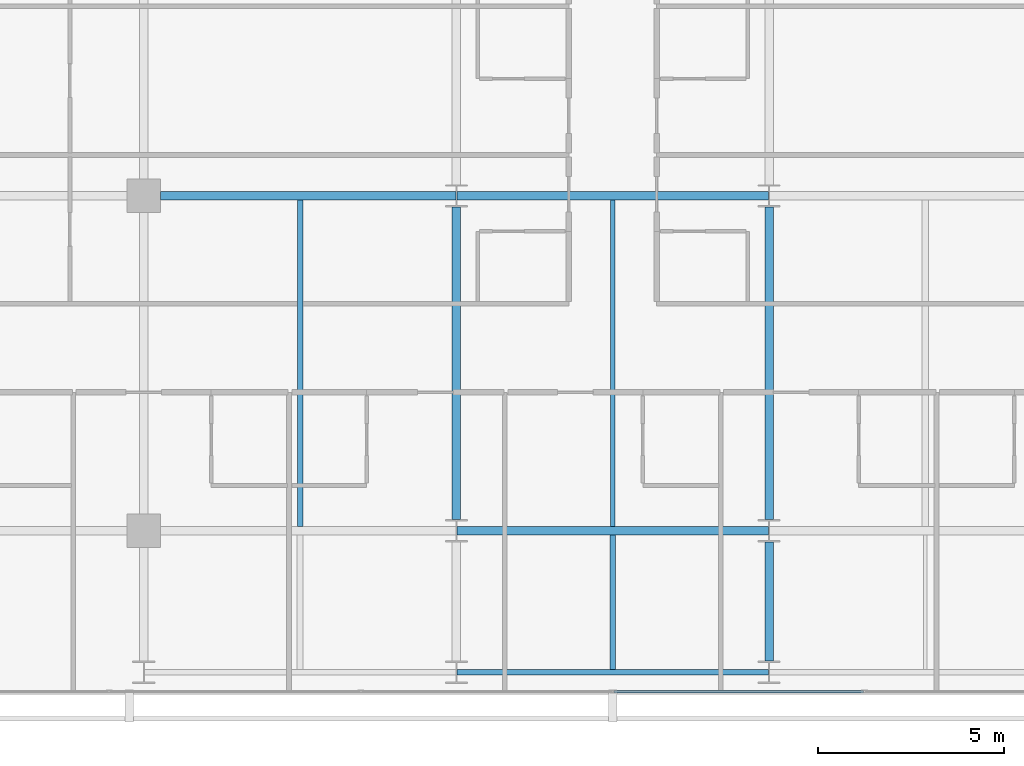
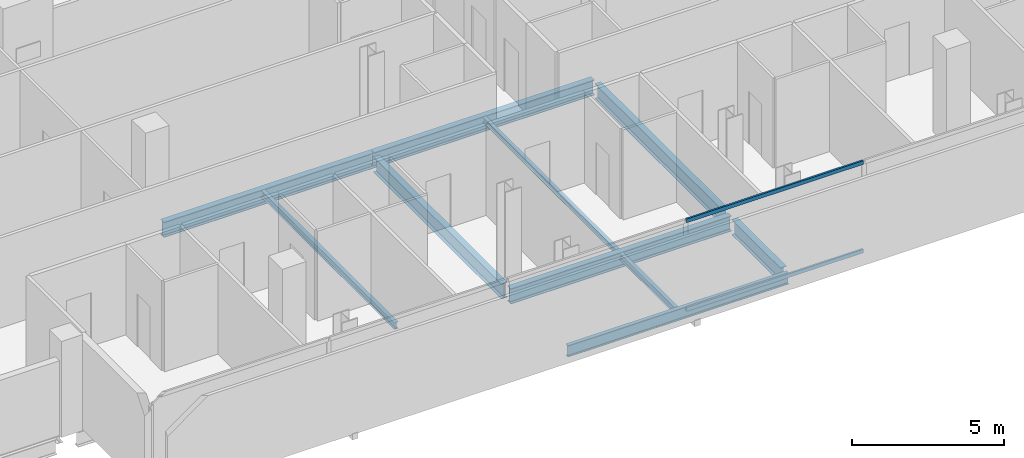
# One storey, part 7 of 34: 10 beams, 2 members, 1 element without a shape of its own.
"""IFC4 building model written with IfcOpenShell, lengths in metres."""

from ifc_helpers import new_model, si_unit, direction, frame, origin, origin_2d, place, context, subcontext, project, spatial, hollow_rectangle, i_section, extrude, material, layer, layer_set, material_profile, profile_set, type_object, element, aggregate, save


model = new_model("IFC4")

# Units and contexts
model_context = context("Model", 3, precision=1e-05, world=origin(), true_north=direction((0.0, 1.0)))
body_context = subcontext(model_context, "Body", "Model", "MODEL_VIEW")
ifc_project = project(units=[si_unit("LENGTHUNIT", "METRE"), si_unit("AREAUNIT", "SQUARE_METRE"), si_unit("VOLUMEUNIT", "CUBIC_METRE"), si_unit("PLANEANGLEUNIT", "RADIAN"), si_unit("MASSUNIT", "GRAM", prefix="KILO")], contexts=[model_context])

# Site, building, storey
site_placement = place(None, origin())
site = spatial("IfcSite", under=ifc_project, at=site_placement, CompositionType="ELEMENT")
building_placement = place(site_placement, origin())
building = spatial("IfcBuilding", under=site, at=building_placement, Name="Maruvema Waterfront Hotel and Observation Tower", CompositionType="ELEMENT")
storey_placement = place(building_placement, frame((0.0, 0.0, 127.39990234375)))
storey = spatial("IfcBuildingStorey", under=building, at=storey_placement, Name="L30", CompositionType="ELEMENT", Elevation=127.39990234375)

# Curtain wall, members
ifc_material_1 = material(Name="Anodised bronze aluminium and solar-control low-E IGU", Category="aluminium")
ifc_layer = layer(ifc_material_1, 0.159912109375, Name="Zone 2 Amber Inner Thermal Curtain Wall System CW-03")
ifc_layer_set = layer_set([ifc_layer], Name="Anodised bronze aluminium and solar-control low-E IGU")
curtain_wall_type = type_object("IfcCurtainWallType", Name="Zone 2 Amber Inner Thermal Curtain Wall System CW-03", PredefinedType="USERDEFINED", material=ifc_layer_set)
curtain_wall_placement = place(storey_placement, origin())
curtain_wall = element("IfcCurtainWall", 1, at=curtain_wall_placement, inside=storey, type_object=curtain_wall_type, Name="L30 Curtain Wall CW-L30-S", ObjectType="UNITISED CURTAIN WALL", PredefinedType="USERDEFINED")
ifc_material_2 = material(Name="Anodised architectural bronze aluminium", Category="aluminium")
ifc_material_profile_1 = material_profile(ifc_material_2, hollow_rectangle(XDim=0.070068359375, YDim=0.14990234375, WallThickness=0.00390625, at=origin_2d()), Name="ALU-T70x150")
ifc_profile_set_1 = profile_set([ifc_material_profile_1], Name="Anodised architectural bronze aluminium")
member_type = type_object("IfcMemberType", Name="Curtain Wall Horizontal Transom ALU-T70x150", PredefinedType="USERDEFINED", material=ifc_profile_set_1)
member_1_placement = place(storey_placement, frame((37.830078125, 4.679931640625, 0.030029296875), z_axis=(1.0, 0.0, 0.0), x_axis=(0.0, 1.0, 0.0)))
member_1 = element("IfcMember", 2, at=member_1_placement, type_object=member_type, Name="CW-03 transom 4.1", ObjectType="TRANSOM", PredefinedType="USERDEFINED", context=body_context, shape_type="SweptSolid", body=[
    extrude(hollow_rectangle(XDim=0.070068359375, YDim=0.14990234375, WallThickness=0.00390625, at=origin_2d()), origin(), (0.0, 0.0, 1.0), 6.70654296875),
])
member_2_placement = place(storey_placement, frame((37.830078125, 4.679931640625, 3.580078125), z_axis=(1.0, 0.0, 0.0), x_axis=(0.0, 1.0, 0.0)))
member_2 = element("IfcMember", 3, at=member_2_placement, type_object=member_type, Name="CW-03 transom 4.2", ObjectType="TRANSOM", PredefinedType="USERDEFINED", context=body_context, shape_type="SweptSolid", body=[
    extrude(hollow_rectangle(XDim=0.070068359375, YDim=0.14990234375, WallThickness=0.00390625, at=origin_2d()), origin(), (0.0, 0.0, 1.0), 6.70654296875),
])
aggregate(curtain_wall, [member_1, member_2])

# Beams
ifc_material_3 = material(Name="Steel ASTM A572 Grade 50", Category="steel")
ifc_material_profile_2 = material_profile(ifc_material_3, i_section(OverallWidth=0.153076171875, OverallDepth=0.455078125, WebThickness=0.008056640625, FlangeThickness=0.01318359375, FilletRadius=0.014892578125, at=origin_2d()), Name="W460x60.0")
ifc_profile_set_2 = profile_set([ifc_material_profile_2], Name="Steel ASTM A572 Grade 50")
beam_type_1 = type_object("IfcBeamType", Name="Perimeter Spandrel Beam W460x60.0", PredefinedType="SPANDREL", material=ifc_profile_set_2)
beam_1_placement = place(storey_placement, frame((33.612548828125, 5.199951171875, -0.46728515625), z_axis=(1.0, 0.0, 0.0), x_axis=(0.0, 1.0, 0.0)))
element("IfcBeam", 4, at=beam_1_placement, inside=storey, type_object=beam_type_1, Name="L30 Floor Girder EW-02", PredefinedType="SPANDREL", context=body_context, shape_type="SweptSolid", body=[
    extrude(i_section(OverallWidth=0.153076171875, OverallDepth=0.455078125, WebThickness=0.008056640625, FlangeThickness=0.01318359375, FilletRadius=0.014892578125, at=origin_2d()), origin(), (0.0, 0.0, 1.0), 8.375),
])
ifc_material_4 = material(Name="Steel ASTM A572 Grade 50", Category="steel")
ifc_material_profile_3 = material_profile(ifc_material_4, i_section(OverallWidth=0.22900390625, OverallDepth=0.612060546875, WebThickness=0.011962890625, FlangeThickness=0.01953125, FilletRadius=0.01806640625, at=origin_2d()), Name="W610x125.0")
ifc_profile_set_3 = profile_set([ifc_material_profile_3], Name="Steel ASTM A572 Grade 50")
beam_type_2 = type_object("IfcBeamType", Name="Primary Floor Girder W610x125.0", PredefinedType="BEAM", material=ifc_profile_set_3)
beam_2_placement = place(storey_placement, frame((33.612548828125, 9.0, -0.5458984375), z_axis=(1.0, 0.0, 0.0), x_axis=(0.0, 1.0, 0.0)))
element("IfcBeam", 5, at=beam_2_placement, inside=storey, type_object=beam_type_2, Name="L30 Floor Girder EW-07", PredefinedType="BEAM", context=body_context, shape_type="SweptSolid", body=[
    extrude(i_section(OverallWidth=0.22900390625, OverallDepth=0.612060546875, WebThickness=0.011962890625, FlangeThickness=0.01953125, FilletRadius=0.01806640625, at=origin_2d()), origin(), (0.0, 0.0, 1.0), 8.375),
])
beam_3_placement = place(storey_placement, frame((25.64990234375, 18.0, -0.5458984375), z_axis=(1.0, 0.0, 0.0), x_axis=(0.0, 1.0, 0.0)))
element("IfcBeam", 6, at=beam_3_placement, inside=storey, type_object=beam_type_2, Name="L30 Floor Girder EW-13", PredefinedType="BEAM", context=body_context, shape_type="SweptSolid", body=[
    extrude(i_section(OverallWidth=0.22900390625, OverallDepth=0.612060546875, WebThickness=0.011962890625, FlangeThickness=0.01953125, FilletRadius=0.01806640625, at=origin_2d()), origin(), (0.0, 0.0, 1.0), 7.9375),
])
beam_4_placement = place(storey_placement, frame((33.612548828125, 18.0, -0.5458984375), z_axis=(1.0, 0.0, 0.0), x_axis=(0.0, 1.0, 0.0)))
element("IfcBeam", 7, at=beam_4_placement, inside=storey, type_object=beam_type_2, Name="L30 Floor Girder EW-14", PredefinedType="BEAM", context=body_context, shape_type="SweptSolid", body=[
    extrude(i_section(OverallWidth=0.22900390625, OverallDepth=0.612060546875, WebThickness=0.011962890625, FlangeThickness=0.01953125, FilletRadius=0.01806640625, at=origin_2d()), origin(), (0.0, 0.0, 1.0), 8.375),
])
beam_5_placement = place(storey_placement, frame((33.60009765625, 9.300048828125, -0.5458984375), z_axis=(0.0, 1.0, 0.0), x_axis=(-1.0, 0.0, 0.0)))
element("IfcBeam", 8, at=beam_5_placement, inside=storey, type_object=beam_type_2, Name="L30 Floor Girder NS-15", PredefinedType="BEAM", context=body_context, shape_type="SweptSolid", body=[
    extrude(i_section(OverallWidth=0.22900390625, OverallDepth=0.612060546875, WebThickness=0.011962890625, FlangeThickness=0.01953125, FilletRadius=0.01806640625, at=origin_2d()), origin(), (0.0, 0.0, 1.0), 8.39990234375),
])
beam_6_placement = place(storey_placement, frame((42.0, 5.5, -0.5458984375), z_axis=(0.0, 1.0, 0.0), x_axis=(-1.0, 0.0, 0.0)))
element("IfcBeam", 9, at=beam_6_placement, inside=storey, type_object=beam_type_2, Name="L30 Floor Girder NS-17", PredefinedType="BEAM", context=body_context, shape_type="SweptSolid", body=[
    extrude(i_section(OverallWidth=0.22900390625, OverallDepth=0.612060546875, WebThickness=0.011962890625, FlangeThickness=0.01953125, FilletRadius=0.01806640625, at=origin_2d()), origin(), (0.0, 0.0, 1.0), 3.199951171875),
])
beam_7_placement = place(storey_placement, frame((42.0, 9.300048828125, -0.5458984375), z_axis=(0.0, 1.0, 0.0), x_axis=(-1.0, 0.0, 0.0)))
element("IfcBeam", 10, at=beam_7_placement, inside=storey, type_object=beam_type_2, Name="L30 Floor Girder NS-18", PredefinedType="BEAM", context=body_context, shape_type="SweptSolid", body=[
    extrude(i_section(OverallWidth=0.22900390625, OverallDepth=0.612060546875, WebThickness=0.011962890625, FlangeThickness=0.01953125, FilletRadius=0.01806640625, at=origin_2d()), origin(), (0.0, 0.0, 1.0), 8.39990234375),
])
ifc_material_5 = material(Name="Steel ASTM A572 Grade 50", Category="steel")
ifc_material_profile_4 = material_profile(ifc_material_5, i_section(OverallWidth=0.133056640625, OverallDepth=0.20703125, WebThickness=0.005859375, FlangeThickness=0.00830078125, FilletRadius=0.010009765625, at=origin_2d()), Name="W200x26.6")
ifc_profile_set_4 = profile_set([ifc_material_profile_4], Name="Steel ASTM A572 Grade 50")
beam_type_3 = type_object("IfcBeamType", Name="Secondary Floor Joist W200x26.6", PredefinedType="JOIST", material=ifc_profile_set_4)
beam_8_placement = place(storey_placement, frame((37.800048828125, 9.114501953125, -0.343505859375), z_axis=(0.0, 1.0, 0.0), x_axis=(-1.0, 0.0, 0.0)))
element("IfcBeam", 11, at=beam_8_placement, inside=storey, type_object=beam_type_3, Name="L30 Secondary Floor Joist JS-08", PredefinedType="JOIST", context=body_context, shape_type="SweptSolid", body=[
    extrude(i_section(OverallWidth=0.133056640625, OverallDepth=0.20703125, WebThickness=0.005859375, FlangeThickness=0.00830078125, FilletRadius=0.010009765625, at=origin_2d()), origin(), (0.0, 0.0, 1.0), 8.77099609375),
])
ifc_material_6 = material(Name="Steel ASTM A572 Grade 50", Category="steel")
ifc_material_profile_5 = material_profile(ifc_material_6, i_section(OverallWidth=0.14599609375, OverallDepth=0.258056640625, WebThickness=0.006103515625, FlangeThickness=0.009033203125, FilletRadius=0.012939453125, at=origin_2d()), Name="W250x32.7")
ifc_profile_set_5 = profile_set([ifc_material_profile_5], Name="Steel ASTM A572 Grade 50")
beam_type_4 = type_object("IfcBeamType", Name="Secondary Floor Joist W250x32.7", PredefinedType="JOIST", material=ifc_profile_set_5)
beam_9_placement = place(storey_placement, frame((37.800048828125, 5.276611328125, -0.368896484375), z_axis=(0.0, 1.0, 0.0), x_axis=(-1.0, 0.0, 0.0)))
element("IfcBeam", 12, at=beam_9_placement, inside=storey, type_object=beam_type_4, Name="L30 Secondary Floor Joist JS-07", PredefinedType="JOIST", context=body_context, shape_type="SweptSolid", body=[
    extrude(i_section(OverallWidth=0.14599609375, OverallDepth=0.258056640625, WebThickness=0.006103515625, FlangeThickness=0.009033203125, FilletRadius=0.012939453125, at=origin_2d()), origin(), (0.0, 0.0, 1.0), 3.60888671875),
])
ifc_material_7 = material(Name="Steel ASTM A572 Grade 50", Category="steel")
ifc_material_profile_6 = material_profile(ifc_material_7, i_section(OverallWidth=0.14794921875, OverallDepth=0.26611328125, WebThickness=0.007568359375, FlangeThickness=0.012939453125, FilletRadius=0.012939453125, at=origin_2d()), Name="W250x44.8")
ifc_profile_set_6 = profile_set([ifc_material_profile_6], Name="Steel ASTM A572 Grade 50")
beam_type_5 = type_object("IfcBeamType", Name="Secondary Floor Joist W250x44.8", PredefinedType="JOIST", material=ifc_profile_set_6)
beam_10_placement = place(storey_placement, frame((29.39990234375, 9.114501953125, -0.372802734375), z_axis=(0.0, 1.0, 0.0), x_axis=(-1.0, 0.0, 0.0)))
element("IfcBeam", 13, at=beam_10_placement, inside=storey, type_object=beam_type_5, Name="L30 Secondary Floor Joist JS-06", PredefinedType="JOIST", context=body_context, shape_type="SweptSolid", body=[
    extrude(i_section(OverallWidth=0.14794921875, OverallDepth=0.26611328125, WebThickness=0.007568359375, FlangeThickness=0.012939453125, FilletRadius=0.012939453125, at=origin_2d()), origin(), (0.0, 0.0, 1.0), 8.77099609375),
])

save(model, "model.ifc")
